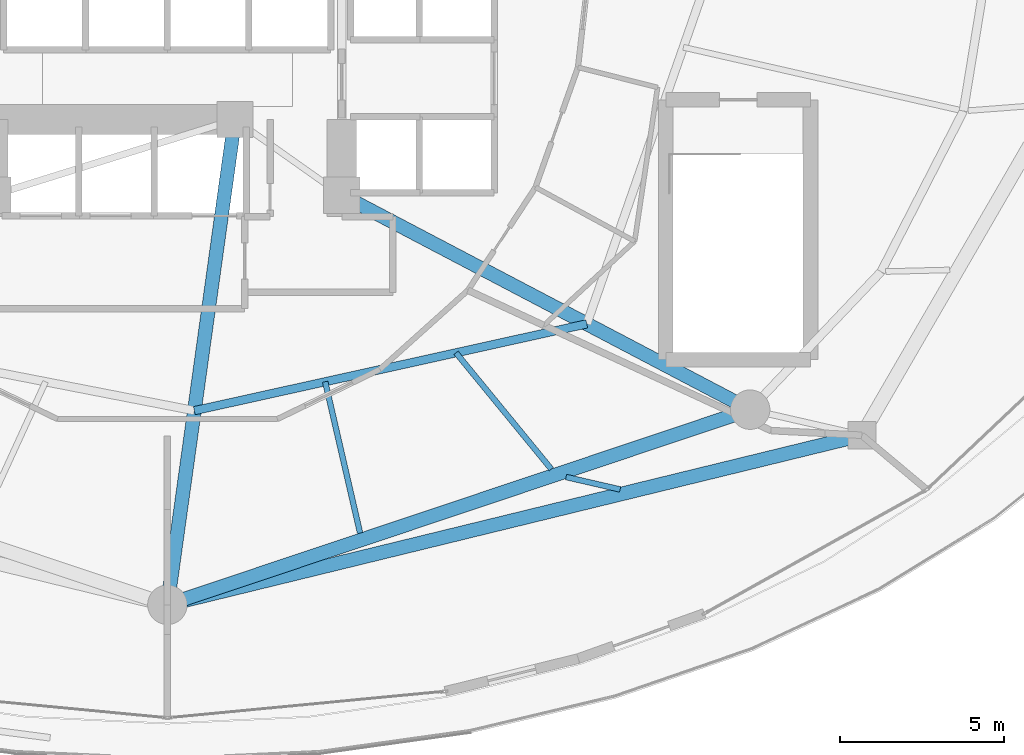
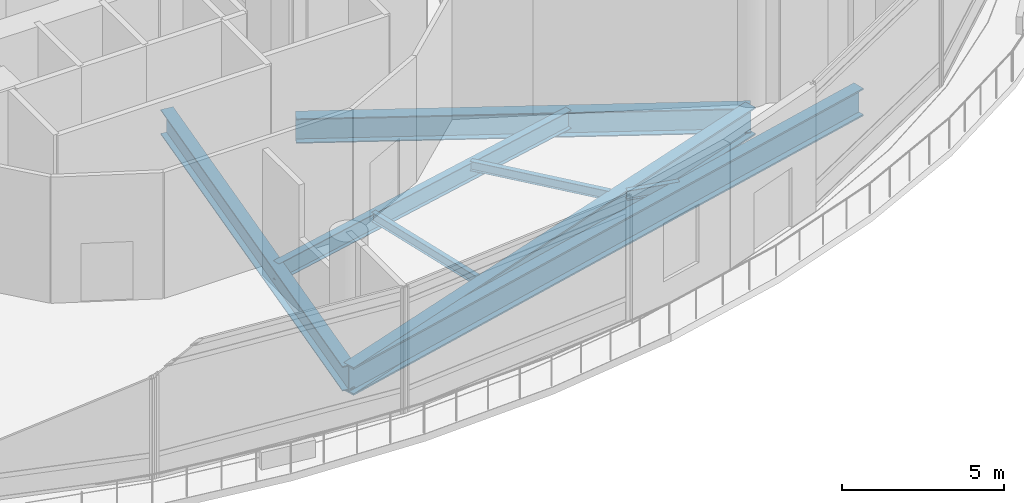
# One storey, part 12 of 34: 8 beams.
"""IFC4 building model written with IfcOpenShell, lengths in metres."""

from ifc_helpers import new_model, si_unit, direction, frame, origin, origin_2d, place, context, subcontext, project, spatial, i_section, extrude, material, material_profile, profile_set, type_object, element, save


model = new_model("IFC4")

# Units and contexts
model_context = context("Model", 3, precision=1e-05, world=origin(), true_north=direction((0.0, 1.0)))
body_context = subcontext(model_context, "Body", "Model", "MODEL_VIEW")
ifc_project = project(units=[si_unit("LENGTHUNIT", "METRE"), si_unit("AREAUNIT", "SQUARE_METRE"), si_unit("VOLUMEUNIT", "CUBIC_METRE"), si_unit("PLANEANGLEUNIT", "RADIAN"), si_unit("MASSUNIT", "GRAM", prefix="KILO")], contexts=[model_context])

# Site, building, storey
site_placement = place(None, origin())
site = spatial("IfcSite", under=ifc_project, at=site_placement, CompositionType="ELEMENT")
building_placement = place(site_placement, origin())
building = spatial("IfcBuilding", under=site, at=building_placement, Name="Nuhasar Tower", CompositionType="ELEMENT")
storey_placement = place(building_placement, frame((0.0, 0.0, 16.0)))
storey = spatial("IfcBuildingStorey", under=building, at=storey_placement, Name="L03", CompositionType="ELEMENT", Elevation=16.0)

# Beams
ifc_material_1 = material(Name="Steel S355", Category="steel")
ifc_material_profile_1 = material_profile(ifc_material_1, i_section(OverallWidth=0.25390625, OverallDepth=0.68408203125, WebThickness=0.012451171875, FlangeThickness=0.018798828125, at=origin_2d()), Name="W27X94")
ifc_profile_set_1 = profile_set([ifc_material_profile_1], Name="Steel S355")
beam_type_1 = type_object("IfcBeamType", Name="BM-INRING-W27X94", PredefinedType="BEAM", material=ifc_profile_set_1)
beam_1_placement = place(storey_placement, frame((39.820068359375, 12.449951171875, -0.64208984375), z_axis=(0.976386023343, 0.216033176665, 0.0), x_axis=(-0.216033176665, 0.976386023343, 0.0)))
element("IfcBeam", 1, at=beam_1_placement, inside=storey, type_object=beam_type_1, Name="L03 Inner Header Beam 02", PredefinedType="BEAM", context=body_context, shape_type="SweptSolid", body=[
    extrude(i_section(OverallWidth=0.25390625, OverallDepth=0.68408203125, WebThickness=0.012451171875, FlangeThickness=0.018798828125, at=origin_2d()), origin(), (0.0, 0.0, 1.0), 12.216552734375),
])
ifc_material_profile_2 = material_profile(ifc_material_1, i_section(OverallWidth=0.1708984375, OverallDepth=0.35205078125, WebThickness=0.0068359375, FlangeThickness=0.009765625, at=origin_2d()), Name="W14X30")
ifc_profile_set_2 = profile_set([ifc_material_profile_2], Name="Steel S355")
beam_type_2 = type_object("IfcBeamType", Name="BM-JST-W14X30", PredefinedType="JOIST", material=ifc_profile_set_2)
beam_2_placement = place(storey_placement, frame((43.7958984375, 13.330078125, -0.47607421875), z_axis=(0.224904818546, -0.974380738005, 0.0), x_axis=(0.974380738005, 0.224904818546, 0.0)))
element("IfcBeam", 2, at=beam_2_placement, inside=storey, type_object=beam_type_2, Name="L03 Secondary Floor Joist 03", PredefinedType="JOIST", context=body_context, shape_type="SweptSolid", body=[
    extrude(i_section(OverallWidth=0.1708984375, OverallDepth=0.35205078125, WebThickness=0.0068359375, FlangeThickness=0.009765625, at=origin_2d()), origin(), (0.0, 0.0, 1.0), 4.72216796875),
])
beam_3_placement = place(storey_placement, frame((47.77197265625, 14.208984375, -0.47607421875), z_axis=(0.633863002168, -0.773445340333, 0.0), x_axis=(0.773445340333, 0.633863002168, 0.0)))
element("IfcBeam", 3, at=beam_3_placement, inside=storey, type_object=beam_type_2, Name="L03 Secondary Floor Joist 04", PredefinedType="JOIST", context=body_context, shape_type="SweptSolid", body=[
    extrude(i_section(OverallWidth=0.1708984375, OverallDepth=0.35205078125, WebThickness=0.0068359375, FlangeThickness=0.009765625, at=origin_2d()), origin(), (0.0, 0.0, 1.0), 4.5703125),
])
beam_4_placement = place(storey_placement, frame((51.117919921875, 10.43310546875, -0.47607421875), z_axis=(0.97467582406, -0.223622534626, 0.0), x_axis=(0.223622534626, 0.97467582406, 0.0)))
element("IfcBeam", 4, at=beam_4_placement, inside=storey, type_object=beam_type_2, Name="L03 Podium Secondary Joist 04", PredefinedType="JOIST", context=body_context, shape_type="SweptSolid", body=[
    extrude(i_section(OverallWidth=0.1708984375, OverallDepth=0.35205078125, WebThickness=0.0068359375, FlangeThickness=0.009765625, at=origin_2d()), origin(), (0.0, 0.0, 1.0), 1.686767578125),
])
ifc_material_profile_3 = material_profile(ifc_material_1, i_section(OverallWidth=0.419921875, OverallDepth=0.931884765625, WebThickness=0.021240234375, FlangeThickness=0.03662109375, at=origin_2d()), Name="W36X262")
ifc_profile_set_3 = profile_set([ifc_material_profile_3], Name="Steel S355")
beam_type_3 = type_object("IfcBeamType", Name="BM-POD-W36X262", PredefinedType="BEAM", material=ifc_profile_set_3)
beam_5_placement = place(storey_placement, frame((41.050048828125, 21.300048828125, -0.76611328125), z_axis=(-0.137663087856, -0.990479113481, 0.0), x_axis=(0.990479113481, -0.137663087856, 0.0)))
element("IfcBeam", 5, at=beam_5_placement, inside=storey, type_object=beam_type_3, Name="L03 Radial Floor Girder 02", PredefinedType="BEAM", context=body_context, shape_type="SweptSolid", body=[
    extrude(i_section(OverallWidth=0.419921875, OverallDepth=0.931884765625, WebThickness=0.021240234375, FlangeThickness=0.03662109375, at=origin_2d()), origin(), (0.0, 0.0, 1.0), 14.891845703125),
])
beam_6_placement = place(storey_placement, frame((44.300048828125, 19.0, -0.76611328125), z_axis=(0.885330348705, -0.464962550816, 0.0), x_axis=(0.464962550816, 0.885330348705, 0.0)))
element("IfcBeam", 6, at=beam_6_placement, inside=storey, type_object=beam_type_3, Name="L03 Radial Floor Girder 03", PredefinedType="BEAM", context=body_context, shape_type="SweptSolid", body=[
    extrude(i_section(OverallWidth=0.419921875, OverallDepth=0.931884765625, WebThickness=0.021240234375, FlangeThickness=0.03662109375, at=origin_2d()), origin(), (0.0, 0.0, 1.0), 14.0205078125),
])
ifc_material_2 = material(Name="Steel S460", Category="steel")
ifc_material_profile_4 = material_profile(ifc_material_2, i_section(OverallWidth=0.419921875, OverallDepth=1.0400390625, WebThickness=0.031005859375, FlangeThickness=0.055908203125, at=origin_2d()), Name="W40X397")
ifc_profile_set_4 = profile_set([ifc_material_profile_4], Name="Steel S460")
beam_type_4 = type_object("IfcBeamType", Name="BM-XFER-W40X397", PredefinedType="USERDEFINED", material=ifc_profile_set_4)
beam_7_placement = place(storey_placement, frame((39.0, 6.550048828125, -0.820068359375), z_axis=(0.948255042429, 0.317509644748, 0.0), x_axis=(-0.317509644748, 0.948255042429, 0.0)))
element("IfcBeam", 7, at=beam_7_placement, inside=storey, type_object=beam_type_4, Name="L03 Mega-Column Ring Girder 02", ObjectType="GIRDER", PredefinedType="USERDEFINED", context=body_context, shape_type="SweptSolid", body=[
    extrude(i_section(OverallWidth=0.419921875, OverallDepth=1.0400390625, WebThickness=0.031005859375, FlangeThickness=0.055908203125, at=origin_2d()), origin(), (0.0, 0.0, 1.0), 18.679443359375),
])
beam_8_placement = place(storey_placement, frame((39.0, 6.550048828125, -0.820068359375), z_axis=(0.971469463574, 0.237164671365, 0.0), x_axis=(-0.237164671365, 0.971469463574, 0.0)))
element("IfcBeam", 8, at=beam_8_placement, inside=storey, type_object=beam_type_4, Name="L03 Podium Ring Girder 02", ObjectType="GIRDER", PredefinedType="USERDEFINED", context=body_context, shape_type="SweptSolid", body=[
    extrude(i_section(OverallWidth=0.419921875, OverallDepth=1.0400390625, WebThickness=0.031005859375, FlangeThickness=0.055908203125, at=origin_2d()), origin(), (0.0, 0.0, 1.0), 21.726806640625),
])

save(model, "model.ifc")
